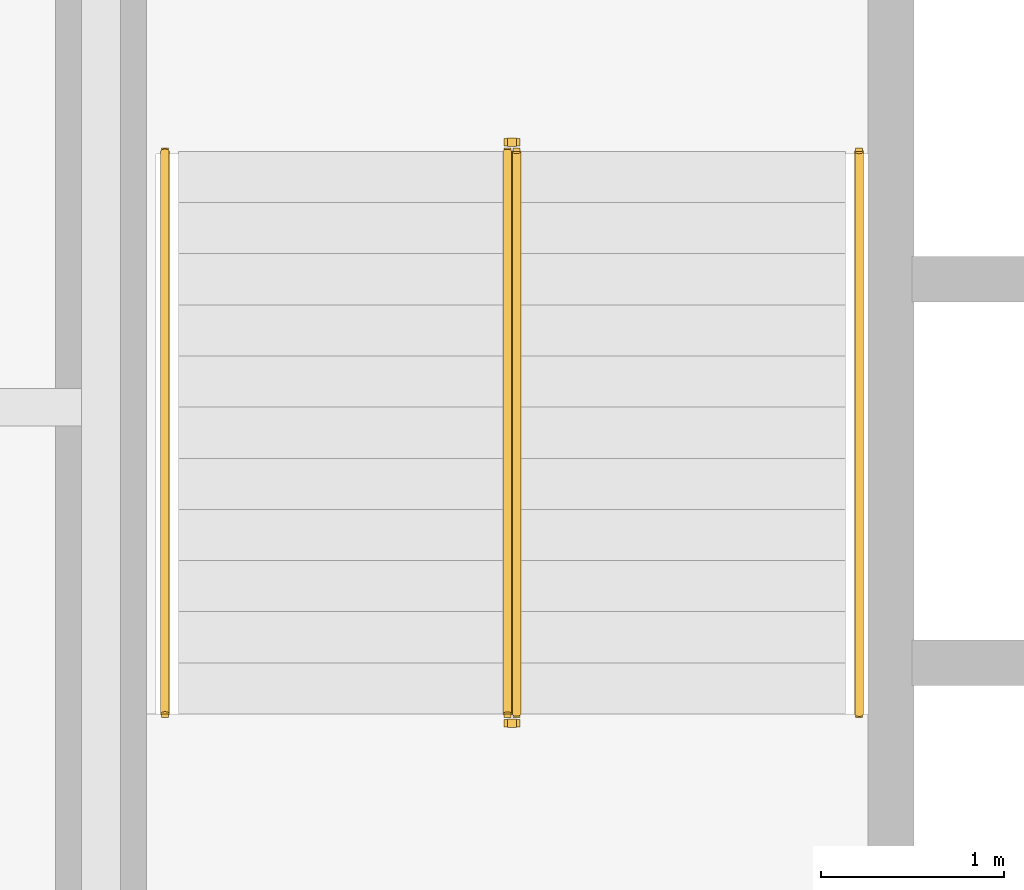
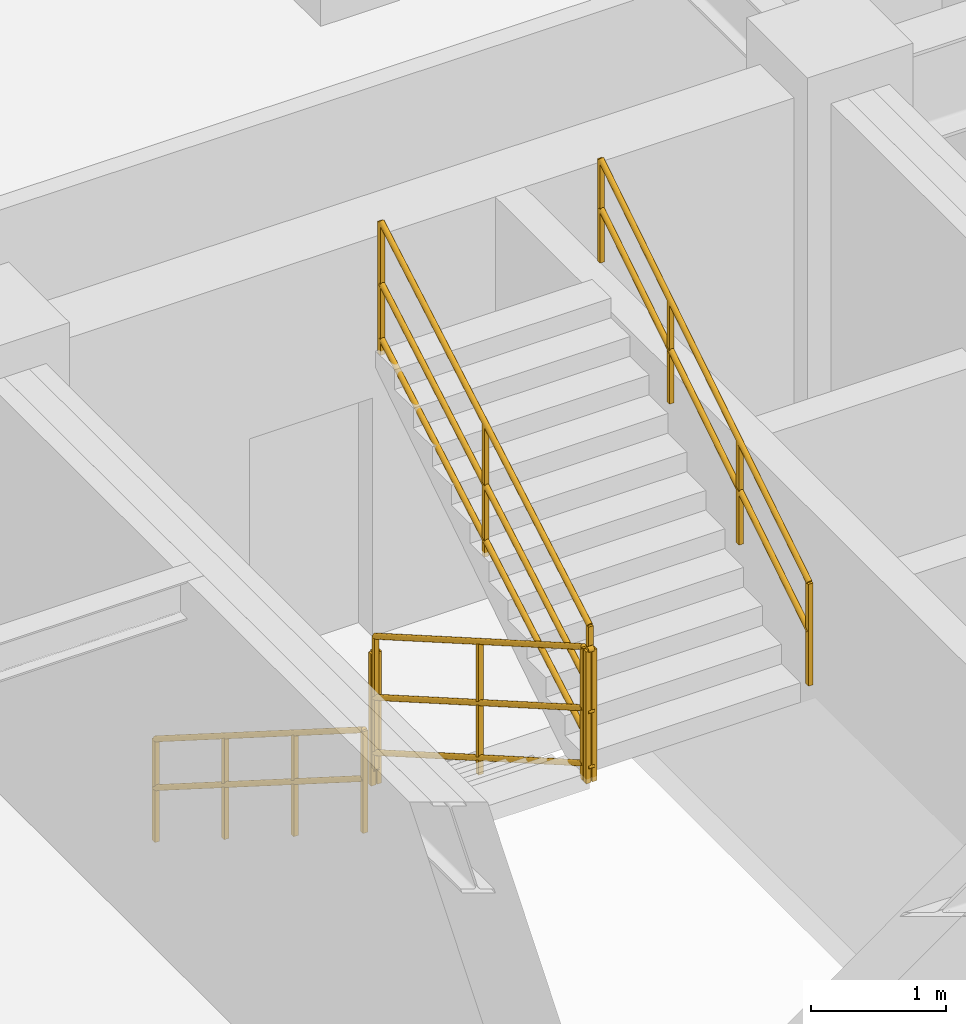
# One storey, part 11 of 11: 6 railings.
"""IFC4 building model written with IfcOpenShell, lengths in metres."""

import ifcopenshell
import ifcopenshell.guid

model = None  # the IFC model being written
_history = None  # IfcOwnerHistory: only IFC2X3 demands one
_inside = {}  # id of a spatial element -> (the spatial element, [elements in it])
_under = {}  # id of a project, library or spatial element -> (it, [spatial elements below it])
_declared = {}  # id of a project -> (the project, [libraries it declares])
_typed = {}  # id of a type object -> (the type object, [elements of that type])
_made_of = {}  # id of a material, layer set ... -> (it, [elements and type objects made of it])


def new_model(schema):
    """Start an empty IFC model of exactly this schema.

    Asked for "IFC4X3", IfcOpenShell would pick the latest addendum, in which some entities
    have other attributes; the version numbers below select the first issue.
    IFC2X3 requires an IfcOwnerHistory on every rooted entity: one is made here for all.
    """
    global model, _history
    if schema == "IFC4X3":
        model = ifcopenshell.file(schema_version=(4, 3, 0, 0))
    else:
        model = ifcopenshell.file(schema=schema)
    _inside.clear()
    _under.clear()
    _declared.clear()
    _typed.clear()
    _made_of.clear()
    _history = None
    if model.schema == "IFC2X3":
        org = make("IfcOrganization", Name="unknown")
        user = make(
            "IfcPersonAndOrganization",
            ThePerson=make("IfcPerson", FamilyName="unknown"),
            TheOrganization=org,
        )
        app = make(
            "IfcApplication",
            ApplicationDeveloper=org,
            Version="unknown",
            ApplicationFullName="unknown",
            ApplicationIdentifier="unknown",
        )
        _history = make(
            "IfcOwnerHistory",
            OwningUser=user,
            OwningApplication=app,
            ChangeAction="ADDED",
            CreationDate=0,
        )
    return model


def make(cls, **values):
    """One entity of the class cls with the attributes given. An attribute that is None is left unset."""
    return model.create_entity(
        cls, **{name: value for name, value in values.items() if value is not None}
    )


def entity(cls, *values):
    """Any entity or typed value of the class cls, its attributes in the order of the schema. None: left unset."""
    e = model.create_entity(cls)
    for i, value in enumerate(values):
        if value is not None:
            e[i] = value
    return e


def rooted(cls, **values):
    """An entity with a GlobalId (a new one), such as an element, a storey or a relation."""
    return make(cls, GlobalId=ifcopenshell.guid.new(), OwnerHistory=_history, **values)


def si_unit(unit_type, name, prefix=None):
    """IfcSIUnit, for example si_unit("LENGTHUNIT", "METRE", prefix="MILLI")."""
    return make("IfcSIUnit", UnitType=unit_type, Prefix=prefix, Name=name)


def converted_unit(unit_type, name, factor, base, dimensions=None, offset=None):
    """IfcConversionBasedUnit, such as the inch: factor (a typed value) times the base unit."""
    return make(
        "IfcConversionBasedUnit"
        if offset is None
        else "IfcConversionBasedUnitWithOffset",
        ConversionOffset=offset,
        Dimensions=None
        if dimensions is None
        else entity("IfcDimensionalExponents", *dimensions),
        UnitType=unit_type,
        Name=name,
        ConversionFactor=make(
            "IfcMeasureWithUnit", ValueComponent=factor, UnitComponent=base
        ),
    )


def assignment(units):
    """IfcUnitAssignment: the units of a project."""
    return None if units is None else make("IfcUnitAssignment", Units=units)


def point(xyz):
    """IfcCartesianPoint."""
    return None if xyz is None else make("IfcCartesianPoint", Coordinates=xyz)


def direction(xyz):
    """IfcDirection."""
    return None if xyz is None else make("IfcDirection", DirectionRatios=xyz)


def frame(location, z_axis=None, x_axis=None):
    """IfcAxis2Placement3D, a coordinate frame: its origin and axes. An axis left out is left unset."""
    return make(
        "IfcAxis2Placement3D",
        Location=point(location),
        Axis=direction(z_axis),
        RefDirection=direction(x_axis),
    )


def frame_2d(location, x_axis=None):
    """IfcAxis2Placement2D, a coordinate frame in the plane: its origin and x axis."""
    return make(
        "IfcAxis2Placement2D", Location=point(location), RefDirection=direction(x_axis)
    )


def origin_with_axes():
    """The frame at (0, 0, 0) with the z axis (0, 0, 1) and the x axis (1, 0, 0) written out."""
    return frame((0.0, 0.0, 0.0), z_axis=(0.0, 0.0, 1.0), x_axis=(1.0, 0.0, 0.0))


def origin_2d_with_axis():
    """The frame at (0, 0) in the plane with the x axis (1, 0) written out."""
    return frame_2d((0.0, 0.0), x_axis=(1.0, 0.0))


def place(relative_to, where):
    """IfcLocalPlacement: puts the frame where relative to a parent placement (None: the world)."""
    return make(
        "IfcLocalPlacement", PlacementRelTo=relative_to, RelativePlacement=where
    )


def context(
    kind, dimensions, precision=None, world=None, true_north=None, identifier=None
):
    """IfcGeometricRepresentationContext, for example the 3D "Model" context."""
    return make(
        "IfcGeometricRepresentationContext",
        ContextIdentifier=identifier,
        ContextType=kind,
        CoordinateSpaceDimension=dimensions,
        Precision=precision,
        WorldCoordinateSystem=world,
        TrueNorth=true_north,
    )


def subcontext(parent, identifier, kind, view, scale=None):
    """IfcGeometricRepresentationSubContext, for example "Body" below "Model"."""
    return make(
        "IfcGeometricRepresentationSubContext",
        ContextIdentifier=identifier,
        ContextType=kind,
        ParentContext=parent,
        TargetScale=scale,
        TargetView=view,
    )


def project(units=None, contexts=None):
    """IfcProject with its units and contexts."""
    return rooted(
        "IfcProject",
        Name="project",
        RepresentationContexts=contexts,
        UnitsInContext=assignment(units),
    )


def spatial(cls, under=None, at=None, **own):
    """A site, building, storey or space (cls), placed at a placement, below another one or the project."""
    s = rooted(cls, ObjectPlacement=at, **own)
    if under is not None:
        _under.setdefault(under.id(), (under, []))[1].append(s)
    return s


def profile(cls, at=None, kind="AREA", **sizes):
    """A parametric profile (cls). Its sizes go by their IFC names, for example OverallWidth=200.0."""
    return make(cls, ProfileType=kind, Position=at, **sizes)


def rectangle(**sizes):
    """IfcRectangleProfileDef."""
    return profile("IfcRectangleProfileDef", **sizes)


def circle(**sizes):
    """IfcCircleProfileDef."""
    return profile("IfcCircleProfileDef", **sizes)


def extrude(swept, where, along, depth):
    """IfcExtrudedAreaSolid: the profile swept, set in the frame where, extruded along a direction by depth."""
    return make(
        "IfcExtrudedAreaSolid",
        SweptArea=swept,
        Position=where,
        ExtrudedDirection=direction(along),
        Depth=depth,
    )


def shape(context_of_items, identifier, shape_type, items):
    """IfcShapeRepresentation: the items that make up one representation, for example the "Body"."""
    return make(
        "IfcShapeRepresentation",
        ContextOfItems=context_of_items,
        RepresentationIdentifier=identifier,
        RepresentationType=shape_type,
        Items=items,
    )


def material(Name=None, Category=None):
    """IfcMaterial."""
    return make("IfcMaterial", Name=Name, Category=Category)


def made_of(thing, what):
    """Note that an element or type object is made of a material, layer set ...; save() writes the relation."""
    if what is not None:
        _made_of.setdefault(what.id(), (what, []))[1].append(thing)
    return thing


def type_object(cls, material=None, **own):
    """A type object (cls), such as IfcWallType, which elements share."""
    return made_of(rooted(cls, **own), material)


def element(
    cls,
    number,
    at=None,
    inside=None,
    cuts=None,
    type_object=None,
    material=None,
    context=None,
    identifier="Body",
    shape_type=None,
    held_by="IfcProductDefinitionShape",
    body=None,
    shapes=None,
    **own,
):
    """One element of the class cls, such as IfcWall. Its Tag is "e" and its number.

    at: its placement. inside: the storey or other place that contains it. cuts: it is an
    opening in that element (IfcRelVoidsElement). A single representation is given by context,
    identifier, shape_type and body (its items); several are given by shapes. held_by: the class
    of the entity that holds the representations. save() writes the other relations.
    """
    e = rooted(cls, Tag="e%d" % number, ObjectPlacement=at, **own)
    if body is not None:
        shapes = [shape(context, identifier, shape_type, body)]
    if shapes is not None:
        e.Representation = make(held_by, Representations=shapes)
    if inside is not None:
        _inside.setdefault(inside.id(), (inside, []))[1].append(e)
    if cuts is not None:
        rooted(
            "IfcRelVoidsElement", RelatingBuildingElement=cuts, RelatedOpeningElement=e
        )
    if type_object is not None:
        _typed.setdefault(type_object.id(), (type_object, []))[1].append(e)
    return made_of(e, material)


def aggregate(whole, parts):
    """IfcRelAggregates: a whole, such as a stair, and the parts it consists of."""
    return rooted("IfcRelAggregates", RelatingObject=whole, RelatedObjects=parts)


def save(model, path):
    """Write the relations noted so far, then the file.

    IfcRelAggregates (storeys below a building ...), IfcRelContainedInSpatialStructure (elements
    in a storey), IfcRelDefinesByType, IfcRelAssociatesMaterial and IfcRelDeclares: one each for
    every whole, place, type object, material and project.
    """
    for whole, parts in _under.values():
        aggregate(whole, parts)
    for where, things in _inside.values():
        rooted(
            "IfcRelContainedInSpatialStructure",
            RelatedElements=things,
            RelatingStructure=where,
        )
    for kind, things in _typed.values():
        rooted("IfcRelDefinesByType", RelatedObjects=things, RelatingType=kind)
    for what, things in _made_of.values():
        rooted("IfcRelAssociatesMaterial", RelatedObjects=things, RelatingMaterial=what)
    for by, libraries in _declared.values():
        rooted("IfcRelDeclares", RelatingContext=by, RelatedDefinitions=libraries)
    model.write(path)


model = new_model("IFC4")

# Units and contexts
model_context = context("Model", 3, precision=1e-05, world=origin_with_axes(), true_north=direction((0.0, 1.0)))
body_context = subcontext(model_context, "Body", "Model", "MODEL_VIEW")
ifc_project = project(units=[si_unit("LENGTHUNIT", "METRE"), si_unit("AREAUNIT", "SQUARE_METRE"), si_unit("VOLUMEUNIT", "CUBIC_METRE"), converted_unit("PLANEANGLEUNIT", "DEGREE", entity("IfcPlaneAngleMeasure", 0.017453292519943295), si_unit("PLANEANGLEUNIT", "RADIAN"), dimensions=[0, 0, 0, 0, 0, 0, 0]), si_unit("MASSUNIT", "GRAM", prefix="KILO"), si_unit("THERMODYNAMICTEMPERATUREUNIT", "KELVIN")], contexts=[model_context])

# Site, building, storey
site_placement = place(None, origin_with_axes())
site = spatial("IfcSite", under=ifc_project, at=site_placement, CompositionType="ELEMENT")
building_placement = place(site_placement, origin_with_axes())
building = spatial("IfcBuilding", under=site, at=building_placement, Name="Varnlund Millrace Tower", CompositionType="ELEMENT")
storey_placement = place(building_placement, frame((0.0, 0.0, 216.0), z_axis=(0.0, 0.0, 1.0), x_axis=(1.0, 0.0, 0.0)))
storey = spatial("IfcBuildingStorey", under=building, at=storey_placement, Name="L53", CompositionType="ELEMENT", Elevation=216.0)

# Railings
ifc_material_1 = material(Name="Painted steel stair well balustrade guard", Category="steel")
railing_type_1 = type_object("IfcRailingType", Name="Type-StairGuard-1150", PredefinedType="GUARDRAIL", material=ifc_material_1)
railing_1_placement = place(storey_placement, frame((0.0, 0.0, -216.0), z_axis=(0.0, 0.0, 1.0), x_axis=(1.0, 0.0, 0.0)))
element("IfcRailing", 1, at=railing_1_placement, inside=storey, type_object=railing_type_1, Name="Type-StairGuard-1150", PredefinedType="GUARDRAIL", context=body_context, shape_type="SweptSolid", body=[
    extrude(circle(Radius=0.024, at=origin_2d_with_axis()), frame((13.625, 35.9, 217.327273), z_axis=(0.0, -0.866696, 0.498836), x_axis=(1.0, 0.0, 0.0)), (0.0, 0.0, 1.0), 3.553725),
    extrude(circle(Radius=0.024, at=origin_2d_with_axis()), frame((13.625, 35.9, 216.277273), z_axis=(0.0, -0.866696, 0.498836), x_axis=(1.0, 0.0, 0.0)), (0.0, 0.0, 1.0), 3.553725),
    extrude(circle(Radius=0.024, at=origin_2d_with_axis()), frame((13.625, 35.9, 216.775273), z_axis=(0.0, -0.866696, 0.498836), x_axis=(1.0, 0.0, 0.0)), (0.0, 0.0, 1.0), 3.553725),
    extrude(rectangle(XDim=0.04, YDim=0.04, at=origin_2d_with_axis()), frame((13.625, 35.9, 216.137273), z_axis=(0.0, 0.0, 1.0), x_axis=(1.0, 0.0, 0.0)), (0.0, 0.0, 1.0), 1.19),
    extrude(rectangle(XDim=0.04, YDim=0.04, at=origin_2d_with_axis()), frame((13.625, 34.36, 217.023637), z_axis=(0.0, 0.0, 1.0), x_axis=(1.0, 0.0, 0.0)), (0.0, 0.0, 1.0), 1.19),
    extrude(rectangle(XDim=0.04, YDim=0.04, at=origin_2d_with_axis()), frame((13.625, 32.82, 217.91), z_axis=(0.0, 0.0, 1.0), x_axis=(1.0, 0.0, 0.0)), (0.0, 0.0, 1.0), 1.19),
])
railing_2_placement = place(storey_placement, frame((0.0, 0.0, -216.0), z_axis=(0.0, 0.0, 1.0), x_axis=(1.0, 0.0, 0.0)))
element("IfcRailing", 2, at=railing_2_placement, inside=storey, type_object=railing_type_1, Name="Type-StairGuard-1150", PredefinedType="GUARDRAIL", context=body_context, shape_type="SweptSolid", body=[
    extrude(circle(Radius=0.024, at=origin_2d_with_axis()), frame((13.675, 32.77, 219.1), z_axis=(-1.0, 0.0, 0.0), x_axis=(0.0, -1.0, 0.0)), (0.0, 0.0, 1.0), 0.05),
    extrude(circle(Radius=0.024, at=origin_2d_with_axis()), frame((13.675, 32.77, 218.05), z_axis=(-1.0, 0.0, 0.0), x_axis=(0.0, -1.0, 0.0)), (0.0, 0.0, 1.0), 0.05),
    extrude(circle(Radius=0.024, at=origin_2d_with_axis()), frame((13.675, 32.77, 218.548), z_axis=(-1.0, 0.0, 0.0), x_axis=(0.0, -1.0, 0.0)), (0.0, 0.0, 1.0), 0.05),
    extrude(rectangle(XDim=0.04, YDim=0.04, at=origin_2d_with_axis()), frame((13.675, 32.77, 217.91), z_axis=(0.0, 0.0, 1.0), x_axis=(1.0, 0.0, 0.0)), (0.0, 0.0, 1.0), 1.19),
    extrude(rectangle(XDim=0.04, YDim=0.04, at=origin_2d_with_axis()), frame((13.625, 32.77, 217.91), z_axis=(0.0, 0.0, 1.0), x_axis=(1.0, 0.0, 0.0)), (0.0, 0.0, 1.0), 1.19),
])
railing_3_placement = place(storey_placement, frame((0.0, 0.0, -216.0), z_axis=(0.0, 0.0, 1.0), x_axis=(1.0, 0.0, 0.0)))
element("IfcRailing", 3, at=railing_3_placement, inside=storey, type_object=railing_type_1, Name="Type-StairGuard-1150", PredefinedType="GUARDRAIL", context=body_context, shape_type="SweptSolid", body=[
    extrude(circle(Radius=0.024, at=origin_2d_with_axis()), frame((13.675, 32.82, 219.277273), z_axis=(0.0, 0.866696, 0.498836), x_axis=(-1.0, 0.0, 0.0)), (0.0, 0.0, 1.0), 3.553725),
    extrude(circle(Radius=0.024, at=origin_2d_with_axis()), frame((13.675, 32.82, 218.227273), z_axis=(0.0, 0.866696, 0.498836), x_axis=(-1.0, 0.0, 0.0)), (0.0, 0.0, 1.0), 3.553725),
    extrude(circle(Radius=0.024, at=origin_2d_with_axis()), frame((13.675, 32.82, 218.725273), z_axis=(0.0, 0.866696, 0.498836), x_axis=(-1.0, 0.0, 0.0)), (0.0, 0.0, 1.0), 3.553725),
    extrude(rectangle(XDim=0.04, YDim=0.04, at=origin_2d_with_axis()), frame((13.675, 32.82, 218.087273), z_axis=(0.0, 0.0, 1.0), x_axis=(1.0, 0.0, 0.0)), (0.0, 0.0, 1.0), 1.19),
    extrude(rectangle(XDim=0.04, YDim=0.04, at=origin_2d_with_axis()), frame((13.675, 34.36, 218.973637), z_axis=(0.0, 0.0, 1.0), x_axis=(1.0, 0.0, 0.0)), (0.0, 0.0, 1.0), 1.19),
    extrude(rectangle(XDim=0.04, YDim=0.04, at=origin_2d_with_axis()), frame((13.675, 35.9, 219.86), z_axis=(0.0, 0.0, 1.0), x_axis=(1.0, 0.0, 0.0)), (0.0, 0.0, 1.0), 1.19),
])
railing_4_placement = place(storey_placement, frame((0.0, 0.0, -216.0), z_axis=(0.0, 0.0, 1.0), x_axis=(1.0, 0.0, 0.0)))
element("IfcRailing", 4, at=railing_4_placement, inside=storey, type_object=railing_type_1, Name="Type-StairGuard-1150", PredefinedType="GUARDRAIL", context=body_context, shape_type="SweptSolid", body=[
    extrude(circle(Radius=0.024, at=origin_2d_with_axis()), frame((13.675, 35.95, 217.15), z_axis=(-1.0, 0.0, 0.0), x_axis=(0.0, -1.0, 0.0)), (0.0, 0.0, 1.0), 0.05),
    extrude(circle(Radius=0.024, at=origin_2d_with_axis()), frame((13.675, 35.95, 216.1), z_axis=(-1.0, 0.0, 0.0), x_axis=(0.0, -1.0, 0.0)), (0.0, 0.0, 1.0), 0.05),
    extrude(circle(Radius=0.024, at=origin_2d_with_axis()), frame((13.675, 35.95, 216.598), z_axis=(-1.0, 0.0, 0.0), x_axis=(0.0, -1.0, 0.0)), (0.0, 0.0, 1.0), 0.05),
    extrude(rectangle(XDim=0.04, YDim=0.04, at=origin_2d_with_axis()), frame((13.675, 35.95, 215.96), z_axis=(0.0, 0.0, 1.0), x_axis=(1.0, 0.0, 0.0)), (0.0, 0.0, 1.0), 1.19),
    extrude(rectangle(XDim=0.04, YDim=0.04, at=origin_2d_with_axis()), frame((13.625, 35.95, 215.96), z_axis=(0.0, 0.0, 1.0), x_axis=(1.0, 0.0, 0.0)), (0.0, 0.0, 1.0), 1.19),
])
ifc_material_2 = material(Name="Brushed architectural bronze stair handrail", Category="aluminium")
railing_type_2 = type_object("IfcRailingType", Name="Type-StairHandrail-900", PredefinedType="HANDRAIL", material=ifc_material_2)
railing_5_placement = place(storey_placement, frame((0.0, 0.0, -216.0), z_axis=(0.0, 0.0, 1.0), x_axis=(1.0, 0.0, 0.0)))
element("IfcRailing", 5, at=railing_5_placement, inside=storey, type_object=railing_type_2, Name="Type-StairHandrail-900", PredefinedType="HANDRAIL", context=body_context, shape_type="SweptSolid", body=[
    extrude(circle(Radius=0.024, at=origin_2d_with_axis()), frame((11.75, 35.9, 217.056995), z_axis=(0.0, -0.844902, 0.534922), x_axis=(1.0, 0.0, 0.0)), (0.0, 0.0, 1.0), 3.645394),
    extrude(circle(Radius=0.024, at=origin_2d_with_axis()), frame((11.75, 35.9, 216.617134), z_axis=(0.0, -0.844902, 0.534922), x_axis=(1.0, 0.0, 0.0)), (0.0, 0.0, 1.0), 3.645394),
    extrude(rectangle(XDim=0.04, YDim=0.04, at=origin_2d_with_axis()), frame((11.75, 35.9, 216.137273), z_axis=(0.0, 0.0, 1.0), x_axis=(1.0, 0.0, 0.0)), (0.0, 0.0, 1.0), 0.919722),
    extrude(rectangle(XDim=0.04, YDim=0.04, at=origin_2d_with_axis()), frame((11.75, 34.873333, 216.787273), z_axis=(0.0, 0.0, 1.0), x_axis=(1.0, 0.0, 0.0)), (0.0, 0.0, 1.0), 0.919722),
    extrude(rectangle(XDim=0.04, YDim=0.04, at=origin_2d_with_axis()), frame((11.75, 33.846667, 217.437273), z_axis=(0.0, 0.0, 1.0), x_axis=(1.0, 0.0, 0.0)), (0.0, 0.0, 1.0), 0.919722),
    extrude(rectangle(XDim=0.04, YDim=0.04, at=origin_2d_with_axis()), frame((11.75, 32.82, 218.087273), z_axis=(0.0, 0.0, 1.0), x_axis=(1.0, 0.0, 0.0)), (0.0, 0.0, 1.0), 0.919722),
])
railing_6_placement = place(storey_placement, frame((0.0, 0.0, -216.0), z_axis=(0.0, 0.0, 1.0), x_axis=(1.0, 0.0, 0.0)))
element("IfcRailing", 6, at=railing_6_placement, inside=storey, type_object=railing_type_2, Name="Type-StairHandrail-900", PredefinedType="HANDRAIL", context=body_context, shape_type="SweptSolid", body=[
    extrude(circle(Radius=0.024, at=origin_2d_with_axis()), frame((15.55, 32.82, 219.006995), z_axis=(0.0, 0.844902, 0.534922), x_axis=(-1.0, 0.0, 0.0)), (0.0, 0.0, 1.0), 3.645394),
    extrude(circle(Radius=0.024, at=origin_2d_with_axis()), frame((15.55, 32.82, 218.567134), z_axis=(0.0, 0.844902, 0.534922), x_axis=(-1.0, 0.0, 0.0)), (0.0, 0.0, 1.0), 3.645394),
    extrude(rectangle(XDim=0.04, YDim=0.04, at=origin_2d_with_axis()), frame((15.55, 32.82, 218.087273), z_axis=(0.0, 0.0, 1.0), x_axis=(1.0, 0.0, 0.0)), (0.0, 0.0, 1.0), 0.919722),
    extrude(rectangle(XDim=0.04, YDim=0.04, at=origin_2d_with_axis()), frame((15.55, 33.846667, 218.737273), z_axis=(0.0, 0.0, 1.0), x_axis=(1.0, 0.0, 0.0)), (0.0, 0.0, 1.0), 0.919722),
    extrude(rectangle(XDim=0.04, YDim=0.04, at=origin_2d_with_axis()), frame((15.55, 34.873333, 219.387273), z_axis=(0.0, 0.0, 1.0), x_axis=(1.0, 0.0, 0.0)), (0.0, 0.0, 1.0), 0.919722),
    extrude(rectangle(XDim=0.04, YDim=0.04, at=origin_2d_with_axis()), frame((15.55, 35.9, 220.037273), z_axis=(0.0, 0.0, 1.0), x_axis=(1.0, 0.0, 0.0)), (0.0, 0.0, 1.0), 0.919722),
])

save(model, "model.ifc")
